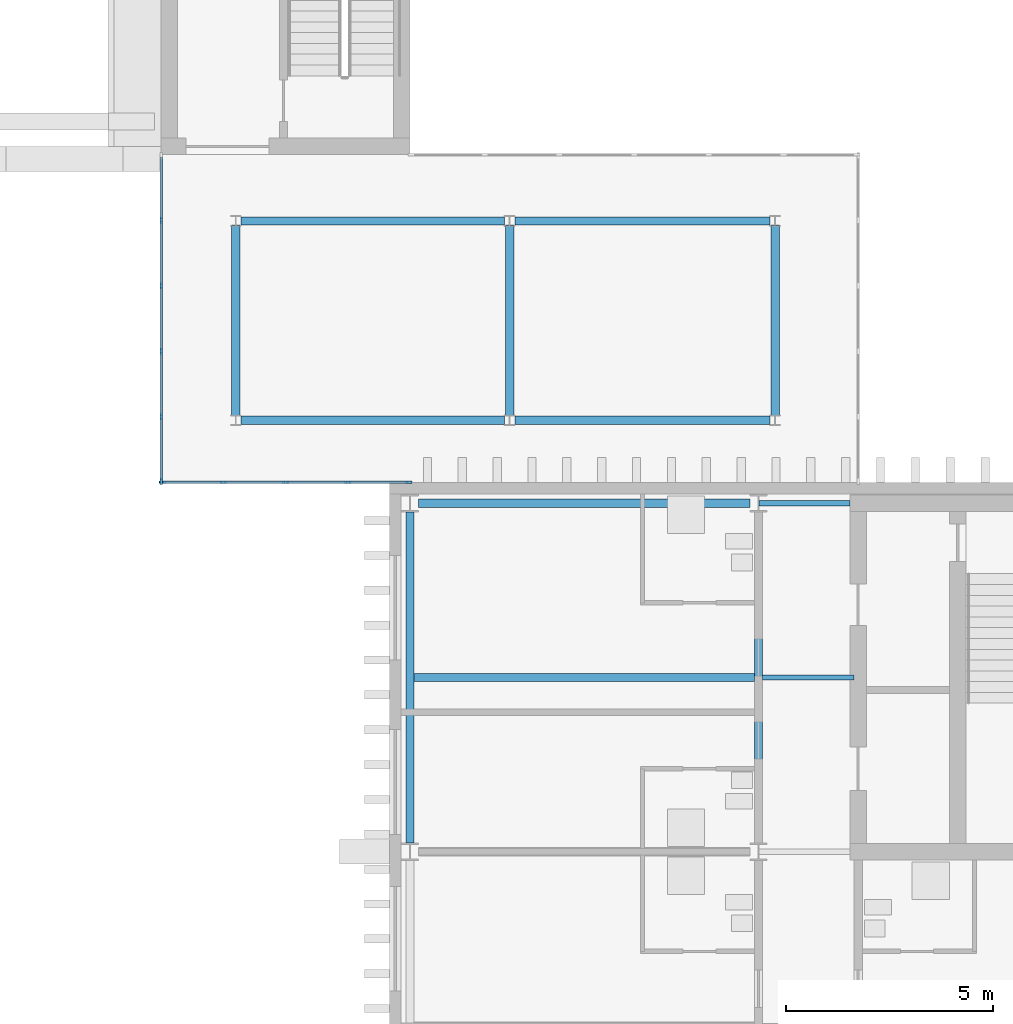
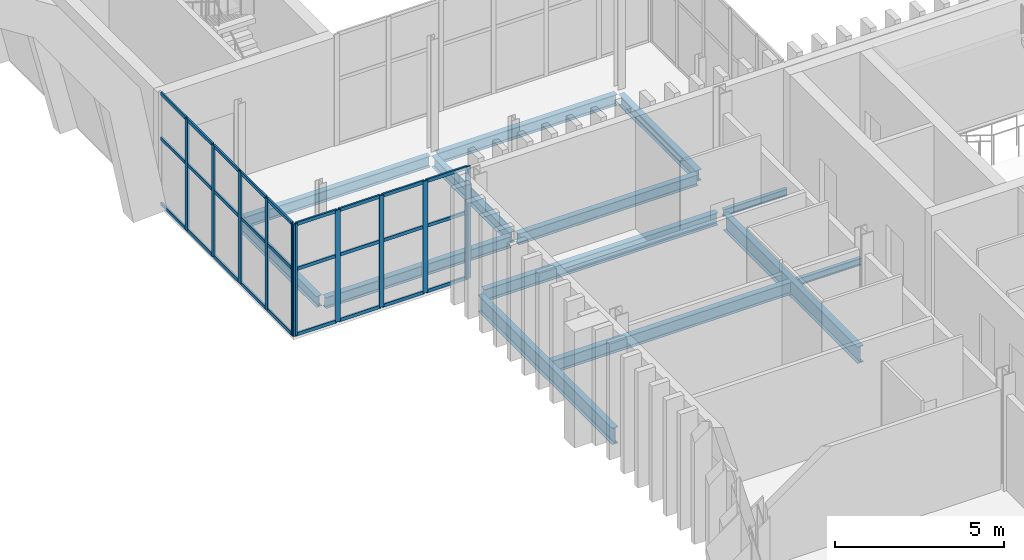
# One storey, part 40 of 96: 37 members, 13 beams, 2 elements without a shape of their own.
"""IFC4 building model written with IfcOpenShell, lengths in metres."""

from ifc_helpers import new_model, si_unit, direction, frame, origin, origin_2d, place, context, subcontext, project, spatial, rectangle, i_section, extrude, material, layer, layer_set, material_profile, profile_set, type_object, element, aggregate, save


model = new_model("IFC4")

# Units and contexts
model_context = context("Model", 3, precision=1e-05, world=origin(), true_north=direction((0.0, 1.0)))
body_context = subcontext(model_context, "Body", "Model", "MODEL_VIEW")
ifc_project = project(units=[si_unit("LENGTHUNIT", "METRE"), si_unit("AREAUNIT", "SQUARE_METRE"), si_unit("VOLUMEUNIT", "CUBIC_METRE"), si_unit("PLANEANGLEUNIT", "RADIAN"), si_unit("MASSUNIT", "GRAM", prefix="KILO")], contexts=[model_context])

# Site, building, storey
site_placement = place(None, origin())
site = spatial("IfcSite", under=ifc_project, at=site_placement, CompositionType="ELEMENT")
building_placement = place(site_placement, origin())
building = spatial("IfcBuilding", under=site, at=building_placement, Name="Cresset Court Congress Hotel", CompositionType="ELEMENT")
storey_placement = place(building_placement, frame((0.0, 0.0, 6.0)))
storey = spatial("IfcBuildingStorey", under=building, at=storey_placement, Name="L01", CompositionType="ELEMENT", Elevation=6.0)

# Curtain wall, members
ifc_material_1 = material(Name="Aluminium and glass", Category="aluminium")
ifc_layer = layer(ifc_material_1, 0.199951171875)
ifc_layer_set = layer_set([ifc_layer], Name="Link curtain wall")
curtain_wall_type = type_object("IfcCurtainWallType", Name="Link curtain wall", PredefinedType="NOTDEFINED", material=ifc_layer_set)
curtain_wall_1_placement = place(storey_placement, origin())
curtain_wall_1 = element("IfcCurtainWall", 1, at=curtain_wall_1_placement, inside=storey, type_object=curtain_wall_type, Name="Link curtain wall W", PredefinedType="NOTDEFINED")
ifc_material_2 = material(Name="Aluminium", Category="aluminium")
ifc_material_profile_1 = material_profile(ifc_material_2, rectangle(XDim=0.06005859375, YDim=0.159912109375, at=origin_2d()), Name="Mullion 60x160")
ifc_profile_set_1 = profile_set([ifc_material_profile_1], Name="Aluminium")
member_type_1 = type_object("IfcMemberType", Name="Link mullion 60x160", PredefinedType="MULLION", material=ifc_profile_set_1)
member_1_placement = place(storey_placement, frame((151.199951171875, 67.72998046875, 0.0), z_axis=(0.0, 0.0, 1.0), x_axis=(-1.0, 0.0, 0.0)))
member_1 = element("IfcMember", 2, at=member_1_placement, type_object=member_type_1, Name="S-X1 mullion 1", PredefinedType="MULLION", context=body_context, shape_type="SweptSolid", body=[
    extrude(rectangle(XDim=0.06005859375, YDim=0.159912109375, at=origin_2d()), origin(), (0.0, 0.0, 1.0), 4.050048828125),
])
member_2_placement = place(storey_placement, frame((151.199951171875, 69.280029296875, 0.0), z_axis=(0.0, 0.0, 1.0), x_axis=(-1.0, 0.0, 0.0)))
member_2 = element("IfcMember", 3, at=member_2_placement, type_object=member_type_1, Name="S-X1 mullion 2", PredefinedType="MULLION", context=body_context, shape_type="SweptSolid", body=[
    extrude(rectangle(XDim=0.06005859375, YDim=0.159912109375, at=origin_2d()), origin(), (0.0, 0.0, 1.0), 4.050048828125),
])
member_3_placement = place(storey_placement, frame((151.199951171875, 70.860107421875, 0.0), z_axis=(0.0, 0.0, 1.0), x_axis=(-1.0, 0.0, 0.0)))
member_3 = element("IfcMember", 4, at=member_3_placement, type_object=member_type_1, Name="S-X1 mullion 3", PredefinedType="MULLION", context=body_context, shape_type="SweptSolid", body=[
    extrude(rectangle(XDim=0.06005859375, YDim=0.159912109375, at=origin_2d()), origin(), (0.0, 0.0, 1.0), 4.050048828125),
])
member_4_placement = place(storey_placement, frame((151.199951171875, 72.43994140625, 0.0), z_axis=(0.0, 0.0, 1.0), x_axis=(-1.0, 0.0, 0.0)))
member_4 = element("IfcMember", 5, at=member_4_placement, type_object=member_type_1, Name="S-X1 mullion 4", PredefinedType="MULLION", context=body_context, shape_type="SweptSolid", body=[
    extrude(rectangle(XDim=0.06005859375, YDim=0.159912109375, at=origin_2d()), origin(), (0.0, 0.0, 1.0), 4.050048828125),
])
member_5_placement = place(storey_placement, frame((151.199951171875, 74.02001953125, 0.0), z_axis=(0.0, 0.0, 1.0), x_axis=(-1.0, 0.0, 0.0)))
member_5 = element("IfcMember", 6, at=member_5_placement, type_object=member_type_1, Name="S-X1 mullion 5", PredefinedType="MULLION", context=body_context, shape_type="SweptSolid", body=[
    extrude(rectangle(XDim=0.06005859375, YDim=0.159912109375, at=origin_2d()), origin(), (0.0, 0.0, 1.0), 4.050048828125),
])

curtain_wall_2_placement = place(storey_placement, origin())
curtain_wall_2 = element("IfcCurtainWall", 7, at=curtain_wall_2_placement, inside=storey, type_object=curtain_wall_type, Name="Link curtain wall S", PredefinedType="NOTDEFINED")
member_6_placement = place(storey_placement, frame((151.22998046875, 67.699951171875, 0.0), z_axis=(0.0, 0.0, 1.0), x_axis=(0.0, 1.0, 0.0)))
member_6 = element("IfcMember", 8, at=member_6_placement, type_object=member_type_1, Name="S-X1 mullion 1", PredefinedType="MULLION", context=body_context, shape_type="SweptSolid", body=[
    extrude(rectangle(XDim=0.06005859375, YDim=0.159912109375, at=origin_2d()), origin(), (0.0, 0.0, 1.0), 4.050048828125),
])
member_7_placement = place(storey_placement, frame((152.699951171875, 67.699951171875, 0.0), z_axis=(0.0, 0.0, 1.0), x_axis=(0.0, 1.0, 0.0)))
member_7 = element("IfcMember", 9, at=member_7_placement, type_object=member_type_1, Name="S-X1 mullion 2", PredefinedType="MULLION", context=body_context, shape_type="SweptSolid", body=[
    extrude(rectangle(XDim=0.06005859375, YDim=0.159912109375, at=origin_2d()), origin(), (0.0, 0.0, 1.0), 4.050048828125),
])
member_8_placement = place(storey_placement, frame((154.199951171875, 67.699951171875, 0.0), z_axis=(0.0, 0.0, 1.0), x_axis=(0.0, 1.0, 0.0)))
member_8 = element("IfcMember", 10, at=member_8_placement, type_object=member_type_1, Name="S-X1 mullion 3", PredefinedType="MULLION", context=body_context, shape_type="SweptSolid", body=[
    extrude(rectangle(XDim=0.06005859375, YDim=0.159912109375, at=origin_2d()), origin(), (0.0, 0.0, 1.0), 4.050048828125),
])
member_9_placement = place(storey_placement, frame((155.699951171875, 67.699951171875, 0.0), z_axis=(0.0, 0.0, 1.0), x_axis=(0.0, 1.0, 0.0)))
member_9 = element("IfcMember", 11, at=member_9_placement, type_object=member_type_1, Name="S-X1 mullion 4", PredefinedType="MULLION", context=body_context, shape_type="SweptSolid", body=[
    extrude(rectangle(XDim=0.06005859375, YDim=0.159912109375, at=origin_2d()), origin(), (0.0, 0.0, 1.0), 4.050048828125),
])
member_10_placement = place(storey_placement, frame((157.169921875, 67.699951171875, 0.0), z_axis=(0.0, 0.0, 1.0), x_axis=(0.0, 1.0, 0.0)))
member_10 = element("IfcMember", 12, at=member_10_placement, type_object=member_type_1, Name="S-X1 mullion 5", PredefinedType="MULLION", context=body_context, shape_type="SweptSolid", body=[
    extrude(rectangle(XDim=0.06005859375, YDim=0.159912109375, at=origin_2d()), origin(), (0.0, 0.0, 1.0), 4.050048828125),
])

# Member
ifc_material_3 = material(Name="Aluminium", Category="aluminium")
ifc_material_profile_2 = material_profile(ifc_material_3, rectangle(XDim=0.06005859375, YDim=0.1201171875, at=origin_2d()), Name="Transom 60x120")
ifc_profile_set_2 = profile_set([ifc_material_profile_2], Name="Aluminium")
member_type_2 = type_object("IfcMemberType", Name="Link transom 60x120", PredefinedType="USERDEFINED", material=ifc_profile_set_2)
member_11_placement = place(storey_placement, frame((151.199951171875, 67.760009765625, 0.030029296875), z_axis=(0.0, 1.0, 0.0), x_axis=(-1.0, 0.0, 0.0)))
member_11 = element("IfcMember", 13, at=member_11_placement, type_object=member_type_2, Name="S-X1 transom 1.1", ObjectType="TRANSOM", PredefinedType="USERDEFINED", context=body_context, shape_type="SweptSolid", body=[
    extrude(rectangle(XDim=0.06005859375, YDim=0.1201171875, at=origin_2d()), origin(), (0.0, 0.0, 1.0), 1.489990234375),
])

member_12_placement = place(storey_placement, frame((151.199951171875, 67.760009765625, 2.39990234375), z_axis=(0.0, 1.0, 0.0), x_axis=(-1.0, 0.0, 0.0)))
member_12 = element("IfcMember", 14, at=member_12_placement, type_object=member_type_2, Name="S-X1 transom 1.2", ObjectType="TRANSOM", PredefinedType="USERDEFINED", context=body_context, shape_type="SweptSolid", body=[
    extrude(rectangle(XDim=0.06005859375, YDim=0.1201171875, at=origin_2d()), origin(), (0.0, 0.0, 1.0), 1.489990234375),
])

member_13_placement = place(storey_placement, frame((151.199951171875, 67.760009765625, 4.02001953125), z_axis=(0.0, 1.0, 0.0), x_axis=(-1.0, 0.0, 0.0)))
member_13 = element("IfcMember", 15, at=member_13_placement, type_object=member_type_2, Name="S-X1 transom 1.3", ObjectType="TRANSOM", PredefinedType="USERDEFINED", context=body_context, shape_type="SweptSolid", body=[
    extrude(rectangle(XDim=0.06005859375, YDim=0.1201171875, at=origin_2d()), origin(), (0.0, 0.0, 1.0), 1.489990234375),
])

member_14_placement = place(storey_placement, frame((151.199951171875, 69.31005859375, 0.030029296875), z_axis=(0.0, 1.0, 0.0), x_axis=(-1.0, 0.0, 0.0)))
member_14 = element("IfcMember", 16, at=member_14_placement, type_object=member_type_2, Name="S-X1 transom 2.1", ObjectType="TRANSOM", PredefinedType="USERDEFINED", context=body_context, shape_type="SweptSolid", body=[
    extrude(rectangle(XDim=0.06005859375, YDim=0.1201171875, at=origin_2d()), origin(), (0.0, 0.0, 1.0), 1.52001953125),
])

member_15_placement = place(storey_placement, frame((151.199951171875, 69.31005859375, 2.39990234375), z_axis=(0.0, 1.0, 0.0), x_axis=(-1.0, 0.0, 0.0)))
member_15 = element("IfcMember", 17, at=member_15_placement, type_object=member_type_2, Name="S-X1 transom 2.2", ObjectType="TRANSOM", PredefinedType="USERDEFINED", context=body_context, shape_type="SweptSolid", body=[
    extrude(rectangle(XDim=0.06005859375, YDim=0.1201171875, at=origin_2d()), origin(), (0.0, 0.0, 1.0), 1.52001953125),
])

member_16_placement = place(storey_placement, frame((151.199951171875, 69.31005859375, 4.02001953125), z_axis=(0.0, 1.0, 0.0), x_axis=(-1.0, 0.0, 0.0)))
member_16 = element("IfcMember", 18, at=member_16_placement, type_object=member_type_2, Name="S-X1 transom 2.3", ObjectType="TRANSOM", PredefinedType="USERDEFINED", context=body_context, shape_type="SweptSolid", body=[
    extrude(rectangle(XDim=0.06005859375, YDim=0.1201171875, at=origin_2d()), origin(), (0.0, 0.0, 1.0), 1.52001953125),
])

member_17_placement = place(storey_placement, frame((151.199951171875, 70.889892578125, 0.030029296875), z_axis=(0.0, 1.0, 0.0), x_axis=(-1.0, 0.0, 0.0)))
member_17 = element("IfcMember", 19, at=member_17_placement, type_object=member_type_2, Name="S-X1 transom 3.1", ObjectType="TRANSOM", PredefinedType="USERDEFINED", context=body_context, shape_type="SweptSolid", body=[
    extrude(rectangle(XDim=0.06005859375, YDim=0.1201171875, at=origin_2d()), origin(), (0.0, 0.0, 1.0), 1.52001953125),
])

member_18_placement = place(storey_placement, frame((151.199951171875, 70.889892578125, 2.39990234375), z_axis=(0.0, 1.0, 0.0), x_axis=(-1.0, 0.0, 0.0)))
member_18 = element("IfcMember", 20, at=member_18_placement, type_object=member_type_2, Name="S-X1 transom 3.2", ObjectType="TRANSOM", PredefinedType="USERDEFINED", context=body_context, shape_type="SweptSolid", body=[
    extrude(rectangle(XDim=0.06005859375, YDim=0.1201171875, at=origin_2d()), origin(), (0.0, 0.0, 1.0), 1.52001953125),
])

member_19_placement = place(storey_placement, frame((151.199951171875, 70.889892578125, 4.02001953125), z_axis=(0.0, 1.0, 0.0), x_axis=(-1.0, 0.0, 0.0)))
member_19 = element("IfcMember", 21, at=member_19_placement, type_object=member_type_2, Name="S-X1 transom 3.3", ObjectType="TRANSOM", PredefinedType="USERDEFINED", context=body_context, shape_type="SweptSolid", body=[
    extrude(rectangle(XDim=0.06005859375, YDim=0.1201171875, at=origin_2d()), origin(), (0.0, 0.0, 1.0), 1.52001953125),
])

member_20_placement = place(storey_placement, frame((151.199951171875, 72.469970703125, 0.030029296875), z_axis=(0.0, 1.0, 0.0), x_axis=(-1.0, 0.0, 0.0)))
member_20 = element("IfcMember", 22, at=member_20_placement, type_object=member_type_2, Name="S-X1 transom 4.1", ObjectType="TRANSOM", PredefinedType="USERDEFINED", context=body_context, shape_type="SweptSolid", body=[
    extrude(rectangle(XDim=0.06005859375, YDim=0.1201171875, at=origin_2d()), origin(), (0.0, 0.0, 1.0), 1.52001953125),
])

member_21_placement = place(storey_placement, frame((151.199951171875, 72.469970703125, 2.39990234375), z_axis=(0.0, 1.0, 0.0), x_axis=(-1.0, 0.0, 0.0)))
member_21 = element("IfcMember", 23, at=member_21_placement, type_object=member_type_2, Name="S-X1 transom 4.2", ObjectType="TRANSOM", PredefinedType="USERDEFINED", context=body_context, shape_type="SweptSolid", body=[
    extrude(rectangle(XDim=0.06005859375, YDim=0.1201171875, at=origin_2d()), origin(), (0.0, 0.0, 1.0), 1.52001953125),
])

member_22_placement = place(storey_placement, frame((151.199951171875, 72.469970703125, 4.02001953125), z_axis=(0.0, 1.0, 0.0), x_axis=(-1.0, 0.0, 0.0)))
member_22 = element("IfcMember", 24, at=member_22_placement, type_object=member_type_2, Name="S-X1 transom 4.3", ObjectType="TRANSOM", PredefinedType="USERDEFINED", context=body_context, shape_type="SweptSolid", body=[
    extrude(rectangle(XDim=0.06005859375, YDim=0.1201171875, at=origin_2d()), origin(), (0.0, 0.0, 1.0), 1.52001953125),
])

member_23_placement = place(storey_placement, frame((151.199951171875, 74.050048828125, 0.030029296875), z_axis=(0.0, 1.0, 0.0), x_axis=(-1.0, 0.0, 0.0)))
member_23 = element("IfcMember", 25, at=member_23_placement, type_object=member_type_2, Name="S-X1 transom 5.1", ObjectType="TRANSOM", PredefinedType="USERDEFINED", context=body_context, shape_type="SweptSolid", body=[
    extrude(rectangle(XDim=0.06005859375, YDim=0.1201171875, at=origin_2d()), origin(), (0.0, 0.0, 1.0), 1.489990234375),
])

member_24_placement = place(storey_placement, frame((151.199951171875, 74.050048828125, 2.39990234375), z_axis=(0.0, 1.0, 0.0), x_axis=(-1.0, 0.0, 0.0)))
member_24 = element("IfcMember", 26, at=member_24_placement, type_object=member_type_2, Name="S-X1 transom 5.2", ObjectType="TRANSOM", PredefinedType="USERDEFINED", context=body_context, shape_type="SweptSolid", body=[
    extrude(rectangle(XDim=0.06005859375, YDim=0.1201171875, at=origin_2d()), origin(), (0.0, 0.0, 1.0), 1.489990234375),
])

member_25_placement = place(storey_placement, frame((151.199951171875, 74.050048828125, 4.02001953125), z_axis=(0.0, 1.0, 0.0), x_axis=(-1.0, 0.0, 0.0)))
member_25 = element("IfcMember", 27, at=member_25_placement, type_object=member_type_2, Name="S-X1 transom 5.3", ObjectType="TRANSOM", PredefinedType="USERDEFINED", context=body_context, shape_type="SweptSolid", body=[
    extrude(rectangle(XDim=0.06005859375, YDim=0.1201171875, at=origin_2d()), origin(), (0.0, 0.0, 1.0), 1.489990234375),
])

aggregate(curtain_wall_1, [member_1, member_2, member_3, member_4, member_5, member_11, member_12, member_13, member_14, member_15, member_16, member_17, member_18, member_19, member_20, member_21, member_22, member_23, member_24, member_25])

member_26_placement = place(storey_placement, frame((151.260009765625, 67.699951171875, 0.030029296875), z_axis=(1.0, 0.0, 0.0), x_axis=(0.0, 1.0, 0.0)))
member_26 = element("IfcMember", 28, at=member_26_placement, type_object=member_type_2, Name="S-X1 transom 1.1", ObjectType="TRANSOM", PredefinedType="USERDEFINED", context=body_context, shape_type="SweptSolid", body=[
    extrude(rectangle(XDim=0.06005859375, YDim=0.1201171875, at=origin_2d()), origin(), (0.0, 0.0, 1.0), 1.409912109375),
])

member_27_placement = place(storey_placement, frame((151.260009765625, 67.699951171875, 2.39990234375), z_axis=(1.0, 0.0, 0.0), x_axis=(0.0, 1.0, 0.0)))
member_27 = element("IfcMember", 29, at=member_27_placement, type_object=member_type_2, Name="S-X1 transom 1.2", ObjectType="TRANSOM", PredefinedType="USERDEFINED", context=body_context, shape_type="SweptSolid", body=[
    extrude(rectangle(XDim=0.06005859375, YDim=0.1201171875, at=origin_2d()), origin(), (0.0, 0.0, 1.0), 1.409912109375),
])

member_28_placement = place(storey_placement, frame((151.260009765625, 67.699951171875, 4.02001953125), z_axis=(1.0, 0.0, 0.0), x_axis=(0.0, 1.0, 0.0)))
member_28 = element("IfcMember", 30, at=member_28_placement, type_object=member_type_2, Name="S-X1 transom 1.3", ObjectType="TRANSOM", PredefinedType="USERDEFINED", context=body_context, shape_type="SweptSolid", body=[
    extrude(rectangle(XDim=0.06005859375, YDim=0.1201171875, at=origin_2d()), origin(), (0.0, 0.0, 1.0), 1.409912109375),
])

member_29_placement = place(storey_placement, frame((152.72998046875, 67.699951171875, 0.030029296875), z_axis=(1.0, 0.0, 0.0), x_axis=(0.0, 1.0, 0.0)))
member_29 = element("IfcMember", 31, at=member_29_placement, type_object=member_type_2, Name="S-X1 transom 2.1", ObjectType="TRANSOM", PredefinedType="USERDEFINED", context=body_context, shape_type="SweptSolid", body=[
    extrude(rectangle(XDim=0.06005859375, YDim=0.1201171875, at=origin_2d()), origin(), (0.0, 0.0, 1.0), 1.43994140625),
])

member_30_placement = place(storey_placement, frame((152.72998046875, 67.699951171875, 2.39990234375), z_axis=(1.0, 0.0, 0.0), x_axis=(0.0, 1.0, 0.0)))
member_30 = element("IfcMember", 32, at=member_30_placement, type_object=member_type_2, Name="S-X1 transom 2.2", ObjectType="TRANSOM", PredefinedType="USERDEFINED", context=body_context, shape_type="SweptSolid", body=[
    extrude(rectangle(XDim=0.06005859375, YDim=0.1201171875, at=origin_2d()), origin(), (0.0, 0.0, 1.0), 1.43994140625),
])

member_31_placement = place(storey_placement, frame((152.72998046875, 67.699951171875, 4.02001953125), z_axis=(1.0, 0.0, 0.0), x_axis=(0.0, 1.0, 0.0)))
member_31 = element("IfcMember", 33, at=member_31_placement, type_object=member_type_2, Name="S-X1 transom 2.3", ObjectType="TRANSOM", PredefinedType="USERDEFINED", context=body_context, shape_type="SweptSolid", body=[
    extrude(rectangle(XDim=0.06005859375, YDim=0.1201171875, at=origin_2d()), origin(), (0.0, 0.0, 1.0), 1.43994140625),
])

member_32_placement = place(storey_placement, frame((154.22998046875, 67.699951171875, 0.030029296875), z_axis=(1.0, 0.0, 0.0), x_axis=(0.0, 1.0, 0.0)))
member_32 = element("IfcMember", 34, at=member_32_placement, type_object=member_type_2, Name="S-X1 transom 3.1", ObjectType="TRANSOM", PredefinedType="USERDEFINED", context=body_context, shape_type="SweptSolid", body=[
    extrude(rectangle(XDim=0.06005859375, YDim=0.1201171875, at=origin_2d()), origin(), (0.0, 0.0, 1.0), 1.43994140625),
])

member_33_placement = place(storey_placement, frame((154.22998046875, 67.699951171875, 2.39990234375), z_axis=(1.0, 0.0, 0.0), x_axis=(0.0, 1.0, 0.0)))
member_33 = element("IfcMember", 35, at=member_33_placement, type_object=member_type_2, Name="S-X1 transom 3.2", ObjectType="TRANSOM", PredefinedType="USERDEFINED", context=body_context, shape_type="SweptSolid", body=[
    extrude(rectangle(XDim=0.06005859375, YDim=0.1201171875, at=origin_2d()), origin(), (0.0, 0.0, 1.0), 1.43994140625),
])

member_34_placement = place(storey_placement, frame((154.22998046875, 67.699951171875, 4.02001953125), z_axis=(1.0, 0.0, 0.0), x_axis=(0.0, 1.0, 0.0)))
member_34 = element("IfcMember", 36, at=member_34_placement, type_object=member_type_2, Name="S-X1 transom 3.3", ObjectType="TRANSOM", PredefinedType="USERDEFINED", context=body_context, shape_type="SweptSolid", body=[
    extrude(rectangle(XDim=0.06005859375, YDim=0.1201171875, at=origin_2d()), origin(), (0.0, 0.0, 1.0), 1.43994140625),
])

member_35_placement = place(storey_placement, frame((155.72998046875, 67.699951171875, 0.030029296875), z_axis=(1.0, 0.0, 0.0), x_axis=(0.0, 1.0, 0.0)))
member_35 = element("IfcMember", 37, at=member_35_placement, type_object=member_type_2, Name="S-X1 transom 4.1", ObjectType="TRANSOM", PredefinedType="USERDEFINED", context=body_context, shape_type="SweptSolid", body=[
    extrude(rectangle(XDim=0.06005859375, YDim=0.1201171875, at=origin_2d()), origin(), (0.0, 0.0, 1.0), 1.409912109375),
])

member_36_placement = place(storey_placement, frame((155.72998046875, 67.699951171875, 2.39990234375), z_axis=(1.0, 0.0, 0.0), x_axis=(0.0, 1.0, 0.0)))
member_36 = element("IfcMember", 38, at=member_36_placement, type_object=member_type_2, Name="S-X1 transom 4.2", ObjectType="TRANSOM", PredefinedType="USERDEFINED", context=body_context, shape_type="SweptSolid", body=[
    extrude(rectangle(XDim=0.06005859375, YDim=0.1201171875, at=origin_2d()), origin(), (0.0, 0.0, 1.0), 1.409912109375),
])

member_37_placement = place(storey_placement, frame((155.72998046875, 67.699951171875, 4.02001953125), z_axis=(1.0, 0.0, 0.0), x_axis=(0.0, 1.0, 0.0)))
member_37 = element("IfcMember", 39, at=member_37_placement, type_object=member_type_2, Name="S-X1 transom 4.3", ObjectType="TRANSOM", PredefinedType="USERDEFINED", context=body_context, shape_type="SweptSolid", body=[
    extrude(rectangle(XDim=0.06005859375, YDim=0.1201171875, at=origin_2d()), origin(), (0.0, 0.0, 1.0), 1.409912109375),
])

aggregate(curtain_wall_2, [member_6, member_7, member_8, member_9, member_10, member_26, member_27, member_28, member_29, member_30, member_31, member_32, member_33, member_34, member_35, member_36, member_37])

# Beams
ifc_material_4 = material(Name="Structural steel Q355B", Category="steel")
ifc_material_profile_3 = material_profile(ifc_material_4, i_section(OverallWidth=0.199951171875, OverallDepth=0.39990234375, WebThickness=0.008056640625, FlangeThickness=0.012939453125, FilletRadius=0.01611328125, at=origin_2d()), Name="HN400x200x8x13")
ifc_profile_set_3 = profile_set([ifc_material_profile_3], Name="Structural steel Q355B")
beam_type_1 = type_object("IfcBeamType", Name="Steel beam HN400x200x8x13", PredefinedType="BEAM", material=ifc_profile_set_3)
beam_1_placement = place(storey_placement, frame((153.125, 69.199951171875, -0.35009765625), z_axis=(1.0, 0.0, 0.0), x_axis=(0.0, 1.0, 0.0)))
element("IfcBeam", 40, at=beam_1_placement, inside=storey, type_object=beam_type_1, Name="S.link.L01.B01", PredefinedType="BEAM", context=body_context, shape_type="SweptSolid", body=[
    extrude(i_section(OverallWidth=0.199951171875, OverallDepth=0.39990234375, WebThickness=0.008056640625, FlangeThickness=0.012939453125, FilletRadius=0.01611328125, at=origin_2d()), origin(), (0.0, 0.0, 1.0), 6.35009765625),
])
beam_2_placement = place(storey_placement, frame((159.72509765625, 69.199951171875, -0.35009765625), z_axis=(1.0, 0.0, 0.0), x_axis=(0.0, 1.0, 0.0)))
element("IfcBeam", 41, at=beam_2_placement, inside=storey, type_object=beam_type_1, Name="S.link.L01.B02", PredefinedType="BEAM", context=body_context, shape_type="SweptSolid", body=[
    extrude(i_section(OverallWidth=0.199951171875, OverallDepth=0.39990234375, WebThickness=0.008056640625, FlangeThickness=0.012939453125, FilletRadius=0.01611328125, at=origin_2d()), origin(), (0.0, 0.0, 1.0), 6.14990234375),
])
beam_3_placement = place(storey_placement, frame((153.125, 74.0, -0.35009765625), z_axis=(1.0, 0.0, 0.0), x_axis=(0.0, 1.0, 0.0)))
element("IfcBeam", 42, at=beam_3_placement, inside=storey, type_object=beam_type_1, Name="S.link.L01.B03", PredefinedType="BEAM", context=body_context, shape_type="SweptSolid", body=[
    extrude(i_section(OverallWidth=0.199951171875, OverallDepth=0.39990234375, WebThickness=0.008056640625, FlangeThickness=0.012939453125, FilletRadius=0.01611328125, at=origin_2d()), origin(), (0.0, 0.0, 1.0), 6.35009765625),
])
beam_4_placement = place(storey_placement, frame((159.72509765625, 74.0, -0.35009765625), z_axis=(1.0, 0.0, 0.0), x_axis=(0.0, 1.0, 0.0)))
element("IfcBeam", 43, at=beam_4_placement, inside=storey, type_object=beam_type_1, Name="S.link.L01.B04", PredefinedType="BEAM", context=body_context, shape_type="SweptSolid", body=[
    extrude(i_section(OverallWidth=0.199951171875, OverallDepth=0.39990234375, WebThickness=0.008056640625, FlangeThickness=0.012939453125, FilletRadius=0.01611328125, at=origin_2d()), origin(), (0.0, 0.0, 1.0), 6.14990234375),
])
for number, where, z_axis, x_axis, name in (
    (44, (153.0, 69.300048828125, -0.35009765625), (0.0, 1.0, 0.0), (-1.0, 0.0, 0.0), "S.link.L01.B05"),
    (45, (159.60009765625, 69.300048828125, -0.35009765625), (0.0, 1.0, 0.0), (-1.0, 0.0, 0.0), "S.link.L01.B06"),
    (46, (166.0, 69.300048828125, -0.35009765625), (0.0, 1.0, 0.0), (-1.0, 0.0, 0.0), "S.link.L01.B07"),
):
    element("IfcBeam", number, at=place(storey_placement, frame(where, z_axis=z_axis, x_axis=x_axis)), inside=storey, type_object=beam_type_1, Name=name, PredefinedType="BEAM", context=body_context, shape_type="SweptSolid", body=[
        extrude(i_section(OverallWidth=0.199951171875, OverallDepth=0.39990234375, WebThickness=0.008056640625, FlangeThickness=0.012939453125, FilletRadius=0.01611328125, at=origin_2d()), origin(), (0.0, 0.0, 1.0), 4.599853515625),
    ])
ifc_material_5 = material(Name="Structural steel Q355B", Category="steel")
ifc_material_profile_4 = material_profile(ifc_material_5, i_section(OverallWidth=0.198974609375, OverallDepth=0.446044921875, WebThickness=0.008056640625, FlangeThickness=0.011962890625, FilletRadius=0.012939453125, at=origin_2d()), Name="HN446x199x8x12")
ifc_profile_set_4 = profile_set([ifc_material_profile_4], Name="Structural steel Q355B")
beam_type_2 = type_object("IfcBeamType", Name="Steel beam HN446x199x8x12", PredefinedType="BEAM", material=ifc_profile_set_4)
beam_5_placement = place(storey_placement, frame((157.300048828125, 63.0, -0.373046875), z_axis=(1.0, 0.0, 0.0), x_axis=(0.0, 1.0, 0.0)))
element("IfcBeam", 47, at=beam_5_placement, inside=storey, type_object=beam_type_2, Name="A.bm.L01.W.mid.7", PredefinedType="BEAM", context=body_context, shape_type="SweptSolid", body=[
    extrude(i_section(OverallWidth=0.198974609375, OverallDepth=0.446044921875, WebThickness=0.008056640625, FlangeThickness=0.011962890625, FilletRadius=0.012939453125, at=origin_2d()), origin(), (0.0, 0.0, 1.0), 8.199951171875),
])
beam_6_placement = place(storey_placement, frame((157.403564453125, 67.199951171875, -0.373046875), z_axis=(1.0, 0.0, 0.0), x_axis=(0.0, 1.0, 0.0)))
element("IfcBeam", 48, at=beam_6_placement, inside=storey, type_object=beam_type_2, Name="A.bm.L01.W.frame1.7", PredefinedType="BEAM", context=body_context, shape_type="SweptSolid", body=[
    extrude(i_section(OverallWidth=0.198974609375, OverallDepth=0.446044921875, WebThickness=0.008056640625, FlangeThickness=0.011962890625, FilletRadius=0.012939453125, at=origin_2d()), origin(), (0.0, 0.0, 1.0), 7.992919921875),
])
ifc_material_6 = material(Name="Structural steel Q355B", Category="steel")
ifc_material_profile_5 = material_profile(ifc_material_6, i_section(OverallWidth=0.125, OverallDepth=0.25, WebThickness=0.006103515625, FlangeThickness=0.009033203125, FilletRadius=0.012939453125, at=origin_2d()), Name="HN250x125x6x9")
ifc_profile_set_5 = profile_set([ifc_material_profile_5], Name="Structural steel Q355B")
beam_type_3 = type_object("IfcBeamType", Name="Steel corridor beam HN250x125x6x9", PredefinedType="BEAM", material=ifc_profile_set_5)
beam_7_placement = place(storey_placement, frame((165.699951171875, 63.0, -0.27490234375), z_axis=(1.0, 0.0, 0.0), x_axis=(0.0, 1.0, 0.0)))
element("IfcBeam", 49, at=beam_7_placement, inside=storey, type_object=beam_type_3, Name="A.bm.L01.C.mid.7", PredefinedType="BEAM", context=body_context, shape_type="SweptSolid", body=[
    extrude(i_section(OverallWidth=0.125, OverallDepth=0.25, WebThickness=0.006103515625, FlangeThickness=0.009033203125, FilletRadius=0.012939453125, at=origin_2d()), origin(), (0.0, 0.0, 1.0), 2.199951171875),
])
beam_8_placement = place(storey_placement, frame((165.610107421875, 67.199951171875, -0.27490234375), z_axis=(1.0, 0.0, 0.0), x_axis=(0.0, 1.0, 0.0)))
element("IfcBeam", 50, at=beam_8_placement, inside=storey, type_object=beam_type_3, Name="A.bm.L01.C.frame1.7", PredefinedType="BEAM", context=body_context, shape_type="SweptSolid", body=[
    extrude(i_section(OverallWidth=0.125, OverallDepth=0.25, WebThickness=0.006103515625, FlangeThickness=0.009033203125, FilletRadius=0.012939453125, at=origin_2d()), origin(), (0.0, 0.0, 1.0), 2.18994140625),
])
ifc_material_7 = material(Name="Structural steel Q355B", Category="steel")
ifc_material_profile_6 = material_profile(ifc_material_7, i_section(OverallWidth=0.199951171875, OverallDepth=0.60009765625, WebThickness=0.010986328125, FlangeThickness=0.01708984375, FilletRadius=0.012939453125, at=origin_2d()), Name="HN600x200x11x17")
ifc_profile_set_6 = profile_set([ifc_material_profile_6], Name="Structural steel Q355B")
beam_type_4 = type_object("IfcBeamType", Name="Steel girder HN600x200x11x17", PredefinedType="BEAM", material=ifc_profile_set_6)
for number, where, z_axis, x_axis, name in (
    (51, (157.199951171875, 59.013916015625, -0.449951171875), (0.0, 1.0, 0.0), (-1.0, 0.0, 0.0), "A.gir.L01.0.7"),
    (52, (165.60009765625, 59.013916015625, -0.449951171875), (0.0, 1.0, 0.0), (-1.0, 0.0, 0.0), "A.gir.L01.1.7"),
):
    element("IfcBeam", number, at=place(storey_placement, frame(where, z_axis=z_axis, x_axis=x_axis)), inside=storey, type_object=beam_type_4, Name=name, PredefinedType="BEAM", context=body_context, shape_type="SweptSolid", body=[
        extrude(i_section(OverallWidth=0.199951171875, OverallDepth=0.60009765625, WebThickness=0.010986328125, FlangeThickness=0.01708984375, FilletRadius=0.012939453125, at=origin_2d()), origin(), (0.0, 0.0, 1.0), 7.97216796875),
    ])

save(model, "model.ifc")
